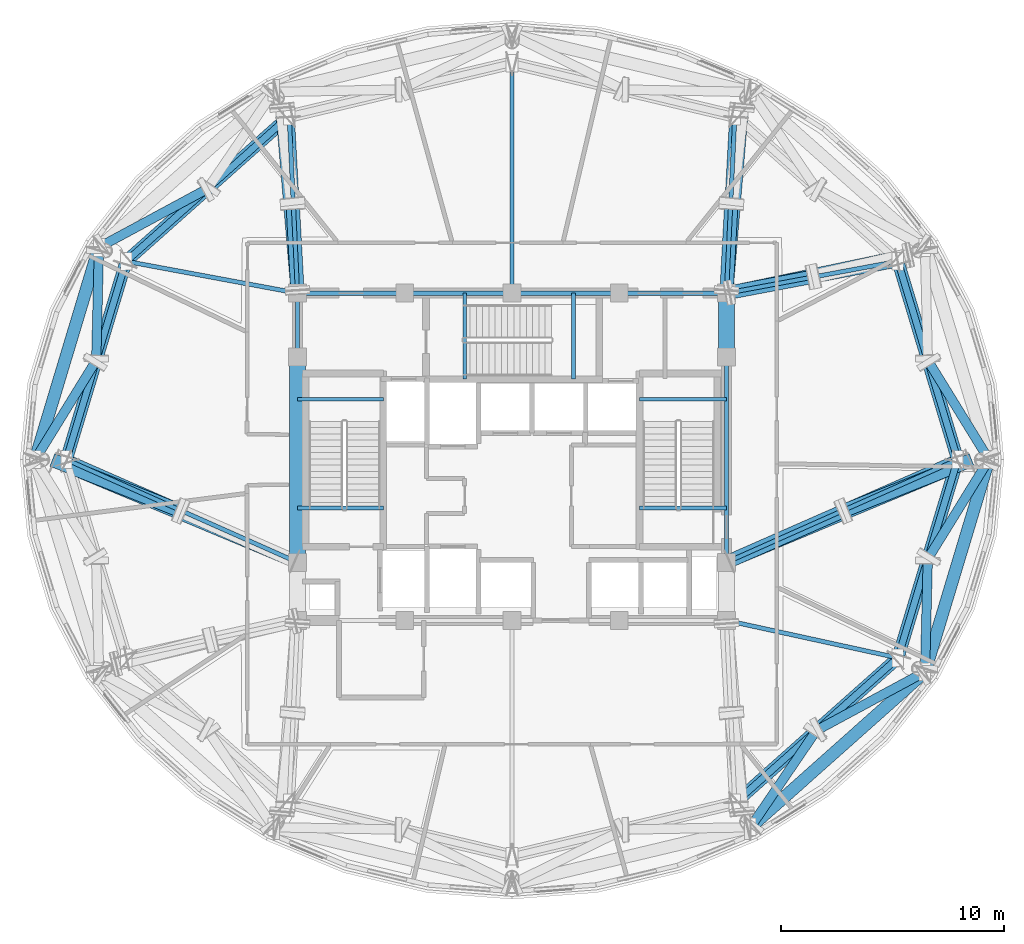
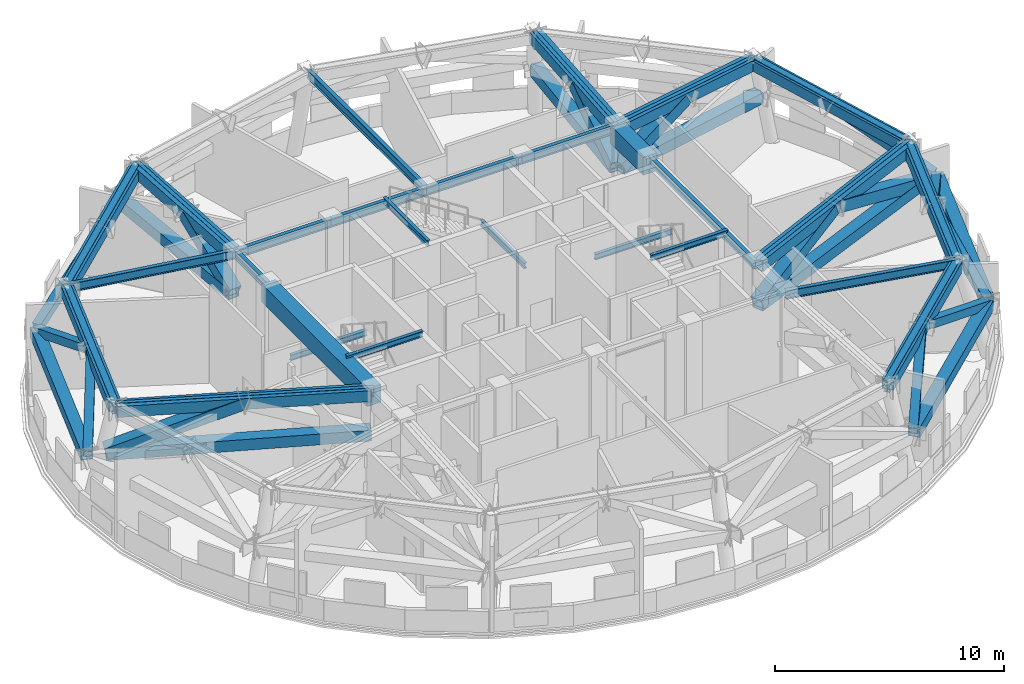
# One storey, part 2 of 13: 32 members, 27 beams.
"""IFC4 building model written with IfcOpenShell, lengths in metres."""

from ifc_helpers import new_model, si_unit, direction, frame, origin, origin_2d, place, context, subcontext, project, spatial, rectangle, hollow_rectangle, i_section, extrude, material, material_profile, profile_set, type_object, element, save


model = new_model("IFC4")

# Units and contexts
model_context = context("Model", 3, precision=1e-05, world=origin(), true_north=direction((0.0, 1.0)))
body_context = subcontext(model_context, "Body", "Model", "MODEL_VIEW")
ifc_project = project(units=[si_unit("LENGTHUNIT", "METRE"), si_unit("AREAUNIT", "SQUARE_METRE"), si_unit("VOLUMEUNIT", "CUBIC_METRE"), si_unit("PLANEANGLEUNIT", "RADIAN"), si_unit("MASSUNIT", "GRAM", prefix="KILO")], contexts=[model_context])

# Site, building, storey
site_placement = place(None, origin())
site = spatial("IfcSite", under=ifc_project, at=site_placement, CompositionType="ELEMENT")
building_placement = place(site_placement, origin())
building = spatial("IfcBuilding", under=site, at=building_placement, Name="Vantalir Tower", CompositionType="ELEMENT")
storey_placement = place(building_placement, frame((0.0, 0.0, 253.64990234375)))
storey = spatial("IfcBuildingStorey", under=building, at=storey_placement, Name="L64", CompositionType="ELEMENT", Elevation=253.64990234375)

# Beams
ifc_material_1 = material(Name="Concrete C60/75", Category="concrete")
ifc_material_profile_1 = material_profile(ifc_material_1, rectangle(XDim=0.699951171875, YDim=0.949951171875, at=origin_2d()), Name="Concrete C60/75")
ifc_profile_set_1 = profile_set([ifc_material_profile_1], Name="Concrete C60/75")
beam_type_1 = type_object("IfcBeamType", Name="BM-CB-700x950", PredefinedType="USERDEFINED", material=ifc_profile_set_1)
beam_1_placement = place(storey_placement, frame((41.10009765625, 29.60009765625, 4.7451171875), z_axis=(0.0, 1.0, 0.0), x_axis=(-1.0, 0.0, 0.0)))
element("IfcBeam", 1, at=beam_1_placement, inside=storey, type_object=beam_type_1, Name="L64 Core Coupling Girder 07", ObjectType="GIRDER", PredefinedType="USERDEFINED", context=body_context, shape_type="SweptSolid", body=[
    extrude(rectangle(XDim=0.699951171875, YDim=0.949951171875, at=origin_2d()), origin(), (0.0, 0.0, 1.0), 2.849853515625),
])
beam_2_placement = place(storey_placement, frame((21.89990234375, 29.60009765625, 4.7451171875), z_axis=(0.0, -1.0, 0.0), x_axis=(1.0, 0.0, 0.0)))
element("IfcBeam", 2, at=beam_2_placement, inside=storey, type_object=beam_type_1, Name="L64 Core Coupling Girder 13", ObjectType="GIRDER", PredefinedType="USERDEFINED", context=body_context, shape_type="SweptSolid", body=[
    extrude(rectangle(XDim=0.699951171875, YDim=0.949951171875, at=origin_2d()), origin(), (0.0, 0.0, 1.0), 9.2001953125),
])
ifc_material_2 = material(Name="Steel S355", Category="steel")
ifc_material_profile_2 = material_profile(ifc_material_2, i_section(OverallWidth=0.166015625, OverallDepth=0.306884765625, WebThickness=0.006591796875, FlangeThickness=0.01171875, at=origin_2d()), Name="Steel S355")
ifc_profile_set_2 = profile_set([ifc_material_profile_2], Name="Steel S355")
beam_type_2 = type_object("IfcBeamType", Name="BM-JS-305x165", PredefinedType="JOIST", material=ifc_profile_set_2)
for number, where, z_axis, x_axis, name in (
    (3, (21.89990234375, 22.8349609375, 5.24609375), (1.0, 0.0, 0.0), (0.0, 1.0, 0.0), "L65 Stair ST1 Well Nosing Trimmer Beam"),
    (4, (21.89990234375, 27.705078125, 2.34619140625), (1.0, 0.0, 0.0), (0.0, 1.0, 0.0), "L64 Stair ST1 Half-Landing Support Beam"),
):
    element("IfcBeam", number, at=place(storey_placement, frame(where, z_axis=z_axis, x_axis=x_axis)), inside=storey, type_object=beam_type_2, Name=name, PredefinedType="JOIST", context=body_context, shape_type="SweptSolid", body=[
        extrude(i_section(OverallWidth=0.166015625, OverallDepth=0.306884765625, WebThickness=0.006591796875, FlangeThickness=0.01171875, at=origin_2d()), origin(), (0.0, 0.0, 1.0), 3.840087890625),
    ])
for number, where, z_axis, x_axis, name in (
    (5, (37.2099609375, 22.8349609375, 5.24609375), (1.0, 0.0, 0.0), (0.0, 1.0, 0.0), "L65 Stair ST2 Well Nosing Trimmer Beam"),
    (6, (37.2099609375, 27.705078125, 2.34619140625), (1.0, 0.0, 0.0), (0.0, 1.0, 0.0), "L64 Stair ST2 Half-Landing Support Beam"),
):
    element("IfcBeam", number, at=place(storey_placement, frame(where, z_axis=z_axis, x_axis=x_axis)), inside=storey, type_object=beam_type_2, Name=name, PredefinedType="JOIST", context=body_context, shape_type="SweptSolid", body=[
        extrude(i_section(OverallWidth=0.166015625, OverallDepth=0.306884765625, WebThickness=0.006591796875, FlangeThickness=0.01171875, at=origin_2d()), origin(), (0.0, 0.0, 1.0), 3.89013671875),
    ])
for number, where, z_axis, x_axis, name in (
    (7, (29.385009765625, 28.60009765625, 5.24609375), (0.0, 1.0, 0.0), (-1.0, 0.0, 0.0), "L65 Stair ST3 Well Nosing Trimmer Beam"),
    (8, (34.2548828125, 28.60009765625, 2.34619140625), (0.0, 1.0, 0.0), (-1.0, 0.0, 0.0), "L64 Stair ST3 Half-Landing Support Beam"),
):
    element("IfcBeam", number, at=place(storey_placement, frame(where, z_axis=z_axis, x_axis=x_axis)), inside=storey, type_object=beam_type_2, Name=name, PredefinedType="JOIST", context=body_context, shape_type="SweptSolid", body=[
        extrude(i_section(OverallWidth=0.166015625, OverallDepth=0.306884765625, WebThickness=0.006591796875, FlangeThickness=0.01171875, at=origin_2d()), origin(), (0.0, 0.0, 1.0), 3.849853515625),
    ])
ifc_material_profile_3 = material_profile(ifc_material_2, i_section(OverallWidth=0.19189453125, OverallDepth=0.462890625, WebThickness=0.010498046875, FlangeThickness=0.017578125, at=origin_2d()), Name="Steel S355")
ifc_profile_set_3 = profile_set([ifc_material_profile_3], Name="Steel S355")
beam_type_3 = type_object("IfcBeamType", Name="BM-RB-457x191", PredefinedType="BEAM", material=ifc_profile_set_3)
beam_3_placement = place(storey_placement, frame((41.10009765625, 20.39990234375, 4.989013671875), z_axis=(0.0, 1.0, 0.0), x_axis=(-1.0, 0.0, 0.0)))
element("IfcBeam", 9, at=beam_3_placement, inside=storey, type_object=beam_type_3, Name="L64 Core Coupling Girder 06", PredefinedType="BEAM", context=body_context, shape_type="SweptSolid", body=[
    extrude(i_section(OverallWidth=0.19189453125, OverallDepth=0.462890625, WebThickness=0.010498046875, FlangeThickness=0.017578125, at=origin_2d()), origin(), (0.0, 0.0, 1.0), 9.2001953125),
])
for number, where, z_axis, x_axis, name in (
    (10, (41.10009765625, 32.449951171875, 4.989013671875), (-1.0, 0.0, 0.0), (0.0, -1.0, 0.0), "L64 Core Coupling Girder 08"),
    (11, (36.300048828125, 32.449951171875, 4.989013671875), (-1.0, 0.0, 0.0), (0.0, -1.0, 0.0), "L64 Core Coupling Girder 09"),
    (12, (31.5, 32.449951171875, 4.989013671875), (-1.0, 0.0, 0.0), (0.0, -1.0, 0.0), "L64 Core Coupling Girder 10"),
    (13, (26.699951171875, 32.449951171875, 4.989013671875), (-1.0, 0.0, 0.0), (0.0, -1.0, 0.0), "L64 Core Coupling Girder 11"),
):
    element("IfcBeam", number, at=place(storey_placement, frame(where, z_axis=z_axis, x_axis=x_axis)), inside=storey, type_object=beam_type_3, Name=name, PredefinedType="BEAM", context=body_context, shape_type="SweptSolid", body=[
        extrude(i_section(OverallWidth=0.19189453125, OverallDepth=0.462890625, WebThickness=0.010498046875, FlangeThickness=0.017578125, at=origin_2d()), origin(), (0.0, 0.0, 1.0), 4.800048828125),
    ])
beam_4_placement = place(storey_placement, frame((21.89990234375, 32.449951171875, 4.989013671875), z_axis=(0.0, -1.0, 0.0), x_axis=(1.0, 0.0, 0.0)))
element("IfcBeam", 14, at=beam_4_placement, inside=storey, type_object=beam_type_3, Name="L64 Core Coupling Girder 12", PredefinedType="BEAM", context=body_context, shape_type="SweptSolid", body=[
    extrude(i_section(OverallWidth=0.19189453125, OverallDepth=0.462890625, WebThickness=0.010498046875, FlangeThickness=0.017578125, at=origin_2d()), origin(), (0.0, 0.0, 1.0), 2.849853515625),
])
beam_5_placement = place(storey_placement, frame((51.449951171875, 25.0, 4.989013671875), z_axis=(-0.913806215199, -0.406150466039, 0.0), x_axis=(0.406150466039, -0.913806215199, 0.0)))
element("IfcBeam", 15, at=beam_5_placement, inside=storey, type_object=beam_type_3, Name="L64 Radial Floor Beam 01", PredefinedType="BEAM", context=body_context, shape_type="SweptSolid", body=[
    extrude(i_section(OverallWidth=0.19189453125, OverallDepth=0.462890625, WebThickness=0.010498046875, FlangeThickness=0.017578125, at=origin_2d()), origin(), (0.0, 0.0, 1.0), 11.326171875),
])
beam_6_placement = place(storey_placement, frame((48.777099609375, 33.876953125, 4.989013671875), z_axis=(-0.983159455902, -0.182749785967, 0.0), x_axis=(0.182749785967, -0.983159455902, 0.0)))
element("IfcBeam", 16, at=beam_6_placement, inside=storey, type_object=beam_type_3, Name="L64 Radial Floor Beam 02", PredefinedType="BEAM", context=body_context, shape_type="SweptSolid", body=[
    extrude(i_section(OverallWidth=0.19189453125, OverallDepth=0.462890625, WebThickness=0.010498046875, FlangeThickness=0.017578125, at=origin_2d()), origin(), (0.0, 0.0, 1.0), 7.80859375),
])
beam_7_placement = place(storey_placement, frame((41.47509765625, 40.375, 4.989013671875), z_axis=(-0.047265435822, -0.998882364734, 0.0), x_axis=(0.998882364734, -0.047265435822, 0.0)))
element("IfcBeam", 17, at=beam_7_placement, inside=storey, type_object=beam_type_3, Name="L64 Radial Floor Beam 03", PredefinedType="BEAM", context=body_context, shape_type="SweptSolid", body=[
    extrude(i_section(OverallWidth=0.19189453125, OverallDepth=0.462890625, WebThickness=0.010498046875, FlangeThickness=0.017578125, at=origin_2d()), origin(), (0.0, 0.0, 1.0), 7.933837890625),
])
beam_8_placement = place(storey_placement, frame((31.5, 42.75390625, 4.989013671875), z_axis=(0.0, -1.0, 0.0), x_axis=(1.0, 0.0, 0.0)))
element("IfcBeam", 18, at=beam_8_placement, inside=storey, type_object=beam_type_3, Name="L64 Radial Floor Beam 04", PredefinedType="BEAM", context=body_context, shape_type="SweptSolid", body=[
    extrude(i_section(OverallWidth=0.19189453125, OverallDepth=0.462890625, WebThickness=0.010498046875, FlangeThickness=0.017578125, at=origin_2d()), origin(), (0.0, 0.0, 1.0), 10.303955078125),
])
beam_9_placement = place(storey_placement, frame((21.52490234375, 40.375, 4.989013671875), z_axis=(0.047265435822, -0.998882364734, 0.0), x_axis=(0.998882364734, 0.047265435822, 0.0)))
element("IfcBeam", 19, at=beam_9_placement, inside=storey, type_object=beam_type_3, Name="L64 Radial Floor Beam 05", PredefinedType="BEAM", context=body_context, shape_type="SweptSolid", body=[
    extrude(i_section(OverallWidth=0.19189453125, OverallDepth=0.462890625, WebThickness=0.010498046875, FlangeThickness=0.017578125, at=origin_2d()), origin(), (0.0, 0.0, 1.0), 7.933837890625),
])
beam_10_placement = place(storey_placement, frame((14.222900390625, 33.876953125, 4.989013671875), z_axis=(0.983159455902, -0.182749785967, 0.0), x_axis=(0.182749785967, 0.983159455902, 0.0)))
element("IfcBeam", 20, at=beam_10_placement, inside=storey, type_object=beam_type_3, Name="L64 Radial Floor Beam 06", PredefinedType="BEAM", context=body_context, shape_type="SweptSolid", body=[
    extrude(i_section(OverallWidth=0.19189453125, OverallDepth=0.462890625, WebThickness=0.010498046875, FlangeThickness=0.017578125, at=origin_2d()), origin(), (0.0, 0.0, 1.0), 7.80859375),
])
beam_11_placement = place(storey_placement, frame((11.550048828125, 25.0, 4.989013671875), z_axis=(0.913806215199, -0.406150466039, 0.0), x_axis=(0.406150466039, 0.913806215199, 0.0)))
element("IfcBeam", 21, at=beam_11_placement, inside=storey, type_object=beam_type_3, Name="L64 Radial Floor Beam 07", PredefinedType="BEAM", context=body_context, shape_type="SweptSolid", body=[
    extrude(i_section(OverallWidth=0.19189453125, OverallDepth=0.462890625, WebThickness=0.010498046875, FlangeThickness=0.017578125, at=origin_2d()), origin(), (0.0, 0.0, 1.0), 11.326171875),
])
beam_12_placement = place(storey_placement, frame((48.777099609375, 16.123046875, 4.989013671875), z_axis=(-0.976962200688, 0.213412413946, 0.0), x_axis=(-0.213412413946, -0.976962200688, 0.0)))
element("IfcBeam", 22, at=beam_12_placement, inside=storey, type_object=beam_type_3, Name="L64 Radial Floor Beam 12", PredefinedType="BEAM", context=body_context, shape_type="SweptSolid", body=[
    extrude(i_section(OverallWidth=0.19189453125, OverallDepth=0.462890625, WebThickness=0.010498046875, FlangeThickness=0.017578125, at=origin_2d()), origin(), (0.0, 0.0, 1.0), 7.858154296875),
])
ifc_material_3 = material(Name="Steel S460", Category="steel")
ifc_material_profile_4 = material_profile(ifc_material_3, i_section(OverallWidth=0.306884765625, OverallDepth=0.6201171875, WebThickness=0.01416015625, FlangeThickness=0.023681640625, at=origin_2d()), Name="Steel S460")
ifc_profile_set_4 = profile_set([ifc_material_profile_4], Name="Steel S460")
beam_type_4 = type_object("IfcBeamType", Name="BM-RG-610x305", PredefinedType="USERDEFINED", material=ifc_profile_set_4)
beam_13_placement = place(storey_placement, frame((51.449951171875, 25.0, 4.91015625), z_axis=(-0.288314156551, 0.957535872504, 0.0), x_axis=(-0.957535872504, -0.288314156551, 0.0)))
element("IfcBeam", 23, at=beam_13_placement, inside=storey, type_object=beam_type_4, Name="L64 Circumferential Ring Girder 01", ObjectType="GIRDER", PredefinedType="USERDEFINED", context=body_context, shape_type="SweptSolid", body=[
    extrude(i_section(OverallWidth=0.306884765625, OverallDepth=0.6201171875, WebThickness=0.01416015625, FlangeThickness=0.023681640625, at=origin_2d()), origin(), (0.0, 0.0, 1.0), 9.2705078125),
])
beam_14_placement = place(storey_placement, frame((21.52490234375, 40.375, 4.91015625), z_axis=(-0.74703437384, -0.664785412221, 0.0), x_axis=(0.664785412221, -0.74703437384, 0.0)))
element("IfcBeam", 24, at=beam_14_placement, inside=storey, type_object=beam_type_4, Name="L64 Circumferential Ring Girder 05", ObjectType="GIRDER", PredefinedType="USERDEFINED", context=body_context, shape_type="SweptSolid", body=[
    extrude(i_section(OverallWidth=0.306884765625, OverallDepth=0.6201171875, WebThickness=0.01416015625, FlangeThickness=0.023681640625, at=origin_2d()), origin(), (0.0, 0.0, 1.0), 9.774658203125),
])
beam_15_placement = place(storey_placement, frame((14.222900390625, 33.876953125, 4.91015625), z_axis=(-0.288314156551, -0.957535872504, 0.0), x_axis=(0.957535872504, -0.288314156551, 0.0)))
element("IfcBeam", 25, at=beam_15_placement, inside=storey, type_object=beam_type_4, Name="L64 Circumferential Ring Girder 06", ObjectType="GIRDER", PredefinedType="USERDEFINED", context=body_context, shape_type="SweptSolid", body=[
    extrude(i_section(OverallWidth=0.306884765625, OverallDepth=0.6201171875, WebThickness=0.01416015625, FlangeThickness=0.023681640625, at=origin_2d()), origin(), (0.0, 0.0, 1.0), 9.2705078125),
])
beam_16_placement = place(storey_placement, frame((41.47509765625, 9.625, 4.91015625), z_axis=(0.74703437384, 0.664785412221, 0.0), x_axis=(-0.664785412221, 0.74703437384, 0.0)))
element("IfcBeam", 26, at=beam_16_placement, inside=storey, type_object=beam_type_4, Name="L64 Circumferential Ring Girder 11", ObjectType="GIRDER", PredefinedType="USERDEFINED", context=body_context, shape_type="SweptSolid", body=[
    extrude(i_section(OverallWidth=0.306884765625, OverallDepth=0.6201171875, WebThickness=0.01416015625, FlangeThickness=0.023681640625, at=origin_2d()), origin(), (0.0, 0.0, 1.0), 9.774658203125),
])
beam_17_placement = place(storey_placement, frame((48.777099609375, 16.123046875, 4.91015625), z_axis=(0.288314156551, 0.957535872504, 0.0), x_axis=(-0.957535872504, 0.288314156551, 0.0)))
element("IfcBeam", 27, at=beam_17_placement, inside=storey, type_object=beam_type_4, Name="L64 Circumferential Ring Girder 12", ObjectType="GIRDER", PredefinedType="USERDEFINED", context=body_context, shape_type="SweptSolid", body=[
    extrude(i_section(OverallWidth=0.306884765625, OverallDepth=0.6201171875, WebThickness=0.01416015625, FlangeThickness=0.023681640625, at=origin_2d()), origin(), (0.0, 0.0, 1.0), 9.2705078125),
])

# Members
ifc_material_profile_5 = material_profile(ifc_material_3, hollow_rectangle(XDim=0.419921875, YDim=0.419921875, WallThickness=0.030029296875, at=origin_2d()), Name="Steel S460")
ifc_profile_set_5 = profile_set([ifc_material_profile_5], Name="Steel S460")
member_type_1 = type_object("IfcMemberType", Name="MEM-BT-420x30", PredefinedType="BRACE", material=ifc_profile_set_5)
member_1_placement = place(storey_placement, frame((52.777099609375, 25.117919921875, 2.8759765625), z_axis=(-0.486748828117, 0.789655315343, 0.373523842983), x_axis=(-0.851269725097, -0.524728363188, 0.0)))
element("IfcMember", 28, at=member_1_placement, inside=storey, type_object=member_type_1, Name="L64 Belt Truss Web Diagonal 01A", PredefinedType="BRACE", context=body_context, shape_type="SweptSolid", body=[
    extrude(hollow_rectangle(XDim=0.419921875, YDim=0.419921875, WallThickness=0.030029296875, at=origin_2d()), origin(), (0.0, 0.0, 1.0), 5.351806640625),
])
member_2_placement = place(storey_placement, frame((13.133056640625, 34.569091796875, 2.873046875), z_axis=(0.82272106923, 0.443792525431, 0.355215760654), x_axis=(-0.474753915067, 0.880118582992, 0.0)))
element("IfcMember", 29, at=member_2_placement, inside=storey, type_object=member_type_1, Name="L64 Belt Truss Web Diagonal 05B", PredefinedType="BRACE", context=body_context, shape_type="SweptSolid", body=[
    extrude(hollow_rectangle(XDim=0.419921875, YDim=0.419921875, WallThickness=0.030029296875, at=origin_2d()), origin(), (0.0, 0.0, 1.0), 5.64208984375),
])
member_3_placement = place(storey_placement, frame((13.007080078125, 34.363037109375, 2.877197265625), z_axis=(-0.022667120957, -0.923451014536, 0.383046244441), x_axis=(0.999698880551, -0.024538708702, 0.0)))
element("IfcMember", 30, at=member_3_placement, inside=storey, type_object=member_type_1, Name="L64 Belt Truss Web Diagonal 06A", PredefinedType="BRACE", context=body_context, shape_type="SweptSolid", body=[
    extrude(hollow_rectangle(XDim=0.419921875, YDim=0.419921875, WallThickness=0.030029296875, at=origin_2d()), origin(), (0.0, 0.0, 1.0), 5.213134765625),
])
member_4_placement = place(storey_placement, frame((10.222900390625, 25.117919921875, 2.8759765625), z_axis=(0.486748828117, 0.789655315343, 0.373523842983), x_axis=(-0.851269725097, 0.524728363188, 0.0)))
element("IfcMember", 31, at=member_4_placement, inside=storey, type_object=member_type_1, Name="L64 Belt Truss Web Diagonal 06B", PredefinedType="BRACE", context=body_context, shape_type="SweptSolid", body=[
    extrude(hollow_rectangle(XDim=0.419921875, YDim=0.419921875, WallThickness=0.030029296875, at=origin_2d()), origin(), (0.0, 0.0, 1.0), 5.351806640625),
])
member_5_placement = place(storey_placement, frame((42.2529296875, 8.656982421875, 2.8759765625), z_axis=(0.522643114699, 0.767209215114, 0.37179859454), x_axis=(-0.826454943854, 0.563002864806, 0.0)))
element("IfcMember", 32, at=member_5_placement, inside=storey, type_object=member_type_1, Name="L64 Belt Truss Web Diagonal 11A", PredefinedType="BRACE", context=body_context, shape_type="SweptSolid", body=[
    extrude(hollow_rectangle(XDim=0.419921875, YDim=0.419921875, WallThickness=0.030029296875, at=origin_2d()), origin(), (0.0, 0.0, 1.0), 5.376708984375),
])
member_6_placement = place(storey_placement, frame((49.866943359375, 15.430908203125, 2.873046875), z_axis=(-0.82272106923, -0.443792525431, 0.355215760654), x_axis=(0.474753915067, -0.880118582992, 0.0)))
element("IfcMember", 33, at=member_6_placement, inside=storey, type_object=member_type_1, Name="L64 Belt Truss Web Diagonal 11B", PredefinedType="BRACE", context=body_context, shape_type="SweptSolid", body=[
    extrude(hollow_rectangle(XDim=0.419921875, YDim=0.419921875, WallThickness=0.030029296875, at=origin_2d()), origin(), (0.0, 0.0, 1.0), 5.64208984375),
])
member_7_placement = place(storey_placement, frame((49.992919921875, 15.636962890625, 2.877197265625), z_axis=(0.022667120957, 0.923451014536, 0.383046244441), x_axis=(-0.999698880551, 0.024538708702, 0.0)))
element("IfcMember", 34, at=member_7_placement, inside=storey, type_object=member_type_1, Name="L64 Belt Truss Web Diagonal 12A", PredefinedType="BRACE", context=body_context, shape_type="SweptSolid", body=[
    extrude(hollow_rectangle(XDim=0.419921875, YDim=0.419921875, WallThickness=0.030029296875, at=origin_2d()), origin(), (0.0, 0.0, 1.0), 5.213134765625),
])
member_8_placement = place(storey_placement, frame((52.777099609375, 24.882080078125, 2.8759765625), z_axis=(-0.486748828117, -0.789655315343, 0.373523842983), x_axis=(0.851269725097, -0.524728363188, 0.0)))
element("IfcMember", 35, at=member_8_placement, inside=storey, type_object=member_type_1, Name="L64 Belt Truss Web Diagonal 12B", PredefinedType="BRACE", context=body_context, shape_type="SweptSolid", body=[
    extrude(hollow_rectangle(XDim=0.419921875, YDim=0.419921875, WallThickness=0.030029296875, at=origin_2d()), origin(), (0.0, 0.0, 1.0), 5.351806640625),
])
ifc_material_profile_6 = material_profile(ifc_material_3, hollow_rectangle(XDim=0.550048828125, YDim=0.550048828125, WallThickness=0.035888671875, at=origin_2d()), Name="Steel S460")
ifc_profile_set_6 = profile_set([ifc_material_profile_6], Name="Steel S460")
member_type_2 = type_object("IfcMemberType", Name="MEM-CH-550x36", PredefinedType="CHORD", material=ifc_profile_set_6)
member_9_placement = place(storey_placement, frame((51.406982421875, 25.14404296875, 4.920166015625), z_axis=(-0.288396460411, 0.957511086945, 0.0), x_axis=(-0.957511086945, -0.288396460411, 0.0)))
element("IfcMember", 36, at=member_9_placement, inside=storey, type_object=member_type_2, Name="L64 Belt Truss Top Chord 01", PredefinedType="CHORD", context=body_context, shape_type="SweptSolid", body=[
    extrude(hollow_rectangle(XDim=0.550048828125, YDim=0.550048828125, WallThickness=0.035888671875, at=origin_2d()), origin(), (0.0, 0.0, 1.0), 8.969970703125),
])
member_10_placement = place(storey_placement, frame((21.4130859375, 40.27490234375, 4.920166015625), z_axis=(-0.747085077711, -0.664728430761, 0.0), x_axis=(0.664728430761, -0.747085077711, 0.0)))
element("IfcMember", 37, at=member_10_placement, inside=storey, type_object=member_type_2, Name="L64 Belt Truss Top Chord 05", PredefinedType="CHORD", context=body_context, shape_type="SweptSolid", body=[
    extrude(hollow_rectangle(XDim=0.550048828125, YDim=0.550048828125, WallThickness=0.035888671875, at=origin_2d()), origin(), (0.0, 0.0, 1.0), 9.474365234375),
])
member_11_placement = place(storey_placement, frame((12.967041015625, 34.35791015625, 2.820068359375), z_axis=(-0.288278839396, -0.957546505793, 0.0), x_axis=(0.957546505793, -0.288278839396, 0.0)))
element("IfcMember", 38, at=member_11_placement, inside=storey, type_object=member_type_2, Name="L64 Belt Truss Bottom Chord 06", PredefinedType="CHORD", context=body_context, shape_type="SweptSolid", body=[
    extrude(hollow_rectangle(XDim=0.550048828125, YDim=0.550048828125, WallThickness=0.035888671875, at=origin_2d()), origin(), (0.0, 0.0, 1.0), 9.622314453125),
])
member_12_placement = place(storey_placement, frame((14.179931640625, 33.73291015625, 4.920166015625), z_axis=(-0.288396460411, -0.957511086945, 0.0), x_axis=(0.957511086945, -0.288396460411, 0.0)))
element("IfcMember", 39, at=member_12_placement, inside=storey, type_object=member_type_2, Name="L64 Belt Truss Top Chord 06", PredefinedType="CHORD", context=body_context, shape_type="SweptSolid", body=[
    extrude(hollow_rectangle(XDim=0.550048828125, YDim=0.550048828125, WallThickness=0.035888671875, at=origin_2d()), origin(), (0.0, 0.0, 1.0), 8.969970703125),
])
member_13_placement = place(storey_placement, frame((42.287109375, 8.64208984375, 2.820068359375), z_axis=(0.746995606785, 0.664828973078, 0.0), x_axis=(-0.664828973078, 0.746995606785, 0.0)))
element("IfcMember", 40, at=member_13_placement, inside=storey, type_object=member_type_2, Name="L64 Belt Truss Bottom Chord 11", PredefinedType="CHORD", context=body_context, shape_type="SweptSolid", body=[
    extrude(hollow_rectangle(XDim=0.550048828125, YDim=0.550048828125, WallThickness=0.035888671875, at=origin_2d()), origin(), (0.0, 0.0, 1.0), 10.161865234375),
])
member_14_placement = place(storey_placement, frame((41.5869140625, 9.72509765625, 4.920166015625), z_axis=(0.747085077711, 0.664728430761, 0.0), x_axis=(-0.664728430761, 0.747085077711, 0.0)))
element("IfcMember", 41, at=member_14_placement, inside=storey, type_object=member_type_2, Name="L64 Belt Truss Top Chord 11", PredefinedType="CHORD", context=body_context, shape_type="SweptSolid", body=[
    extrude(hollow_rectangle(XDim=0.550048828125, YDim=0.550048828125, WallThickness=0.035888671875, at=origin_2d()), origin(), (0.0, 0.0, 1.0), 9.474365234375),
])
member_15_placement = place(storey_placement, frame((50.032958984375, 15.64208984375, 2.820068359375), z_axis=(0.288278839396, 0.957546505793, 0.0), x_axis=(-0.957546505793, 0.288278839396, 0.0)))
element("IfcMember", 42, at=member_15_placement, inside=storey, type_object=member_type_2, Name="L64 Belt Truss Bottom Chord 12", PredefinedType="CHORD", context=body_context, shape_type="SweptSolid", body=[
    extrude(hollow_rectangle(XDim=0.550048828125, YDim=0.550048828125, WallThickness=0.035888671875, at=origin_2d()), origin(), (0.0, 0.0, 1.0), 9.622314453125),
])
member_16_placement = place(storey_placement, frame((48.820068359375, 16.26708984375, 4.920166015625), z_axis=(0.288396460411, 0.957511086945, 0.0), x_axis=(-0.957511086945, 0.288396460411, 0.0)))
element("IfcMember", 43, at=member_16_placement, inside=storey, type_object=member_type_2, Name="L64 Belt Truss Top Chord 12", PredefinedType="CHORD", context=body_context, shape_type="SweptSolid", body=[
    extrude(hollow_rectangle(XDim=0.550048828125, YDim=0.550048828125, WallThickness=0.035888671875, at=origin_2d()), origin(), (0.0, 0.0, 1.0), 8.969970703125),
])
ifc_material_profile_7 = material_profile(ifc_material_3, hollow_rectangle(XDim=0.580078125, YDim=0.580078125, WallThickness=0.0380859375, at=origin_2d()), Name="Steel S460")
ifc_profile_set_7 = profile_set([ifc_material_profile_7], Name="Steel S460")
member_type_3 = type_object("IfcMemberType", Name="MEM-CH-580x38", PredefinedType="CHORD", material=ifc_profile_set_7)
member_17_placement = place(storey_placement, frame((41.238037109375, 20.4580078125, 2.820068359375), z_axis=(0.922830383548, 0.385206546154, 0.0), x_axis=(-0.385206546154, 0.922830383548, 0.0)))
element("IfcMember", 44, at=member_17_placement, inside=storey, type_object=member_type_3, Name="L64 Outrigger Truss Bottom Chord 01", PredefinedType="CHORD", context=body_context, shape_type="SweptSolid", body=[
    extrude(hollow_rectangle(XDim=0.580078125, YDim=0.580078125, WallThickness=0.0380859375, at=origin_2d()), origin(), (0.0, 0.0, 1.0), 11.64013671875),
])
member_18_placement = place(storey_placement, frame((41.237060546875, 20.4599609375, 4.920166015625), z_axis=(0.915579487157, 0.402137044672, 0.0), x_axis=(-0.402137044672, 0.915579487157, 0.0)))
element("IfcMember", 45, at=member_18_placement, inside=storey, type_object=member_type_3, Name="L64 Outrigger Truss Top Chord 01", PredefinedType="CHORD", context=body_context, shape_type="SweptSolid", body=[
    extrude(hollow_rectangle(XDim=0.580078125, YDim=0.580078125, WallThickness=0.0380859375, at=origin_2d()), origin(), (0.0, 0.0, 1.0), 11.140380859375),
])
member_19_placement = place(storey_placement, frame((41.2470703125, 32.48095703125, 2.820068359375), z_axis=(0.978854394917, 0.204558239997, 0.0), x_axis=(-0.204558239997, 0.978854394917, 0.0)))
element("IfcMember", 46, at=member_19_placement, inside=storey, type_object=member_type_3, Name="L64 Outrigger Truss Bottom Chord 02", PredefinedType="CHORD", context=body_context, shape_type="SweptSolid", body=[
    extrude(hollow_rectangle(XDim=0.580078125, YDim=0.580078125, WallThickness=0.0380859375, at=origin_2d()), origin(), (0.0, 0.0, 1.0), 8.135009765625),
])
member_20_placement = place(storey_placement, frame((41.2470703125, 32.47802734375, 4.920166015625), z_axis=(0.982353977726, 0.187031180413, 0.0), x_axis=(-0.187031180413, 0.982353977726, 0.0)))
element("IfcMember", 47, at=member_20_placement, inside=storey, type_object=member_type_3, Name="L64 Outrigger Truss Top Chord 02", PredefinedType="CHORD", context=body_context, shape_type="SweptSolid", body=[
    extrude(hollow_rectangle(XDim=0.580078125, YDim=0.580078125, WallThickness=0.0380859375, at=origin_2d()), origin(), (0.0, 0.0, 1.0), 7.62451171875),
])
member_21_placement = place(storey_placement, frame((41.113037109375, 32.59912109375, 2.820068359375), z_axis=(0.0837055631, 0.996490531167, 0.0), x_axis=(-0.996490531167, 0.0837055631, 0.0)))
element("IfcMember", 48, at=member_21_placement, inside=storey, type_object=member_type_3, Name="L64 Outrigger Truss Bottom Chord 03", PredefinedType="CHORD", context=body_context, shape_type="SweptSolid", body=[
    extrude(hollow_rectangle(XDim=0.580078125, YDim=0.580078125, WallThickness=0.0380859375, at=origin_2d()), origin(), (0.0, 0.0, 1.0), 8.17236328125),
])
member_22_placement = place(storey_placement, frame((41.10791015625, 32.60009765625, 4.920166015625), z_axis=(0.05446449316, 0.998515707931, 0.0), x_axis=(-0.998515707931, 0.05446449316, 0.0)))
element("IfcMember", 49, at=member_22_placement, inside=storey, type_object=member_type_3, Name="L64 Outrigger Truss Top Chord 03", PredefinedType="CHORD", context=body_context, shape_type="SweptSolid", body=[
    extrude(hollow_rectangle(XDim=0.580078125, YDim=0.580078125, WallThickness=0.0380859375, at=origin_2d()), origin(), (0.0, 0.0, 1.0), 7.732421875),
])
member_23_placement = place(storey_placement, frame((21.886962890625, 32.59912109375, 2.820068359375), z_axis=(-0.0837055631, 0.996490531167, 0.0), x_axis=(-0.996490531167, -0.0837055631, 0.0)))
element("IfcMember", 50, at=member_23_placement, inside=storey, type_object=member_type_3, Name="L64 Outrigger Truss Bottom Chord 04", PredefinedType="CHORD", context=body_context, shape_type="SweptSolid", body=[
    extrude(hollow_rectangle(XDim=0.580078125, YDim=0.580078125, WallThickness=0.0380859375, at=origin_2d()), origin(), (0.0, 0.0, 1.0), 8.17236328125),
])
member_24_placement = place(storey_placement, frame((21.89208984375, 32.60009765625, 4.920166015625), z_axis=(-0.05446449316, 0.998515707931, 0.0), x_axis=(-0.998515707931, -0.05446449316, 0.0)))
element("IfcMember", 51, at=member_24_placement, inside=storey, type_object=member_type_3, Name="L64 Outrigger Truss Top Chord 04", PredefinedType="CHORD", context=body_context, shape_type="SweptSolid", body=[
    extrude(hollow_rectangle(XDim=0.580078125, YDim=0.580078125, WallThickness=0.0380859375, at=origin_2d()), origin(), (0.0, 0.0, 1.0), 7.732421875),
])
member_25_placement = place(storey_placement, frame((21.761962890625, 20.4580078125, 2.820068359375), z_axis=(-0.922830383548, 0.385206546154, 0.0), x_axis=(-0.385206546154, -0.922830383548, 0.0)))
element("IfcMember", 52, at=member_25_placement, inside=storey, type_object=member_type_3, Name="L64 Outrigger Truss Bottom Chord 05", PredefinedType="CHORD", context=body_context, shape_type="SweptSolid", body=[
    extrude(hollow_rectangle(XDim=0.580078125, YDim=0.580078125, WallThickness=0.0380859375, at=origin_2d()), origin(), (0.0, 0.0, 1.0), 11.64013671875),
])
member_26_placement = place(storey_placement, frame((21.762939453125, 20.4599609375, 4.920166015625), z_axis=(-0.915579487157, 0.402137044672, 0.0), x_axis=(-0.402137044672, -0.915579487157, 0.0)))
element("IfcMember", 53, at=member_26_placement, inside=storey, type_object=member_type_3, Name="L64 Outrigger Truss Top Chord 05", PredefinedType="CHORD", context=body_context, shape_type="SweptSolid", body=[
    extrude(hollow_rectangle(XDim=0.580078125, YDim=0.580078125, WallThickness=0.0380859375, at=origin_2d()), origin(), (0.0, 0.0, 1.0), 11.140380859375),
])
ifc_material_profile_8 = material_profile(ifc_material_3, hollow_rectangle(XDim=0.60009765625, YDim=0.60009765625, WallThickness=0.0400390625, at=origin_2d()), Name="Steel S460")
ifc_profile_set_8 = profile_set([ifc_material_profile_8], Name="Steel S460")
member_type_4 = type_object("IfcMemberType", Name="MEM-OR-600x40", PredefinedType="BRACE", material=ifc_profile_set_8)
member_27_placement = place(storey_placement, frame((41.22900390625, 20.45703125, 2.8720703125), z_axis=(0.859488658229, 0.377462262928, 0.344675915088), x_axis=(-0.402102396315, 0.915594704483, 0.0)))
element("IfcMember", 54, at=member_27_placement, inside=storey, type_object=member_type_4, Name="L64 Outrigger Truss Diagonal 01A", PredefinedType="BRACE", context=body_context, shape_type="SweptSolid", body=[
    extrude(hollow_rectangle(XDim=0.60009765625, YDim=0.60009765625, WallThickness=0.0400390625, at=origin_2d()), origin(), (0.0, 0.0, 1.0), 5.822998046875),
])
member_28_placement = place(storey_placement, frame((46.443115234375, 22.741943359375, 4.882080078125), z_axis=(0.880395599211, 0.350173201166, -0.319816069134), x_axis=(-0.369583876749, 0.929197373031, 0.0)))
element("IfcMember", 55, at=member_28_placement, inside=storey, type_object=member_type_4, Name="L64 Outrigger Truss Diagonal 01B", PredefinedType="BRACE", context=body_context, shape_type="SweptSolid", body=[
    extrude(hollow_rectangle(XDim=0.60009765625, YDim=0.60009765625, WallThickness=0.0400390625, at=origin_2d()), origin(), (0.0, 0.0, 1.0), 6.297119140625),
])
member_29_placement = place(storey_placement, frame((41.22998046875, 32.47509765625, 2.89013671875), z_axis=(0.867970992629, 0.16510160375, 0.468367181166), x_axis=(-0.186865043272, 0.982385594155, 0.0)))
element("IfcMember", 56, at=member_29_placement, inside=storey, type_object=member_type_4, Name="L64 Outrigger Truss Diagonal 02A", PredefinedType="BRACE", context=body_context, shape_type="SweptSolid", body=[
    extrude(hollow_rectangle(XDim=0.60009765625, YDim=0.60009765625, WallThickness=0.0400390625, at=origin_2d()), origin(), (0.0, 0.0, 1.0), 4.21435546875),
])
for number, where, z_axis, x_axis, name in (
    (57, (41.10693359375, 32.5830078125, 2.88916015625), (0.048349245998, 0.884837030437, 0.463385131374), (-0.998510461801, 0.054560587191, 0.0), "L64 Outrigger Truss Diagonal 03A"),
    (58, (21.89306640625, 32.5830078125, 2.88916015625), (-0.048349245998, 0.884837030437, 0.463385131374), (-0.998510461801, -0.054560587191, 0.0), "L64 Outrigger Truss Diagonal 04A"),
):
    element("IfcMember", number, at=place(storey_placement, frame(where, z_axis=z_axis, x_axis=x_axis)), inside=storey, type_object=member_type_4, Name=name, PredefinedType="BRACE", context=body_context, shape_type="SweptSolid", body=[
        extrude(hollow_rectangle(XDim=0.60009765625, YDim=0.60009765625, WallThickness=0.0400390625, at=origin_2d()), origin(), (0.0, 0.0, 1.0), 4.26171875),
    ])
member_30_placement = place(storey_placement, frame((16.556884765625, 22.741943359375, 4.882080078125), z_axis=(-0.880395599211, 0.350173201166, -0.319816069134), x_axis=(-0.369583876749, -0.929197373031, 0.0)))
element("IfcMember", 59, at=member_30_placement, inside=storey, type_object=member_type_4, Name="L64 Outrigger Truss Diagonal 05B", PredefinedType="BRACE", context=body_context, shape_type="SweptSolid", body=[
    extrude(hollow_rectangle(XDim=0.60009765625, YDim=0.60009765625, WallThickness=0.0400390625, at=origin_2d()), origin(), (0.0, 0.0, 1.0), 6.297119140625),
])

save(model, "model.ifc")
